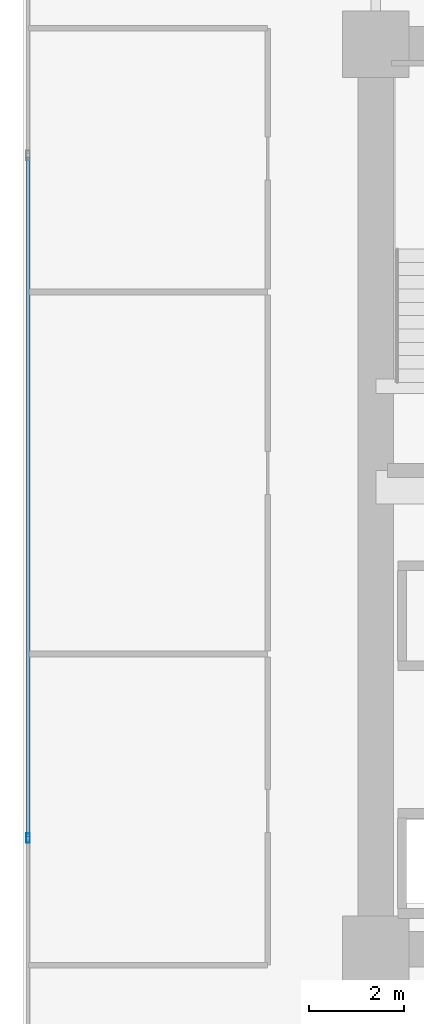
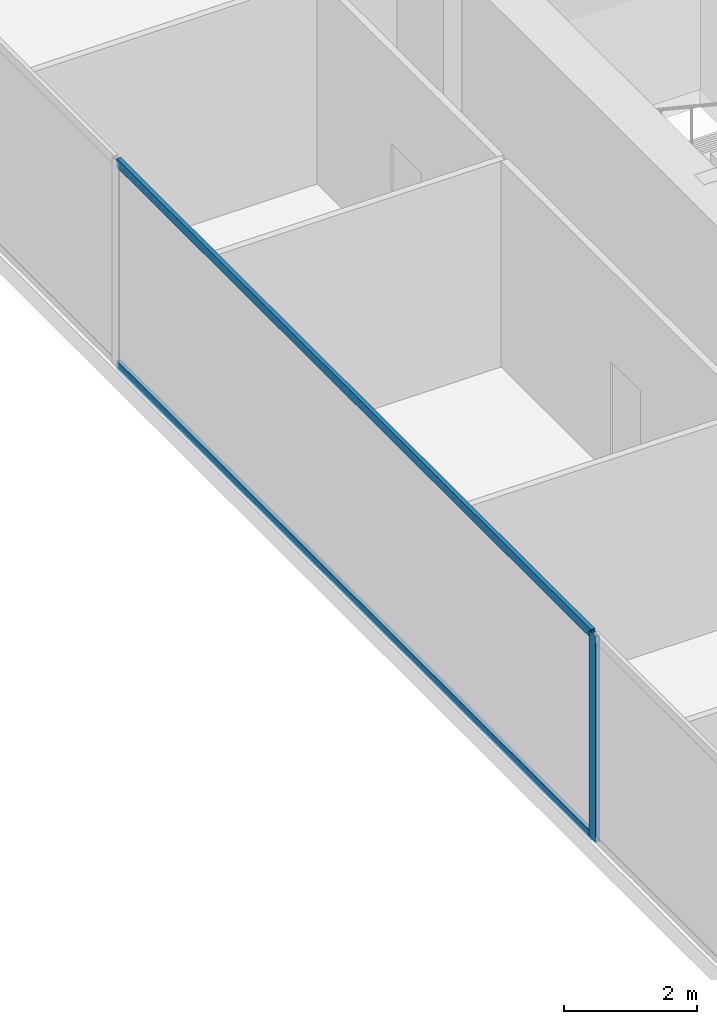
# One storey, part 6 of 31: 3 members, 1 element without a shape of its own.
"""IFC4 building model written with IfcOpenShell, lengths in metres."""

from ifc_helpers import new_model, si_unit, direction, frame, origin, origin_2d, place, context, subcontext, project, spatial, hollow_rectangle, extrude, source, transform, mapped, material, layer, layer_set, material_profile, profile_set, type_object, type_shapes, element, aggregate, save


model = new_model("IFC4")

# Units and contexts
model_context = context("Model", 3, precision=1e-05, world=origin(), true_north=direction((0.0, 1.0)))
body_context = subcontext(model_context, "Body", "Model", "MODEL_VIEW")
ifc_project = project(units=[si_unit("LENGTHUNIT", "METRE"), si_unit("AREAUNIT", "SQUARE_METRE"), si_unit("VOLUMEUNIT", "CUBIC_METRE"), si_unit("PLANEANGLEUNIT", "RADIAN"), si_unit("MASSUNIT", "GRAM", prefix="KILO")], contexts=[model_context])

# Site, building, storey
site_placement = place(None, origin())
site = spatial("IfcSite", under=ifc_project, at=site_placement, CompositionType="ELEMENT")
building_placement = place(site_placement, origin())
building = spatial("IfcBuilding", under=site, at=building_placement, Name="Haelvirn Gate Laboratories", CompositionType="ELEMENT")
storey_placement = place(building_placement, frame((0.0, 0.0, 62.10009765625)))
storey = spatial("IfcBuildingStorey", under=building, at=storey_placement, Name="L15", CompositionType="ELEMENT", Elevation=62.10009765625)

# Curtain wall, members
ifc_material_1 = material(Name="Anodised bronze unitised aluminium & triple low-E glass", Category="aluminium")
ifc_layer = layer(ifc_material_1, 0.18408203125, Name="CW-SYS-2")
ifc_layer_set = layer_set([ifc_layer], Name="Anodised bronze unitised aluminium & triple low-E glass")
curtain_wall_type = type_object("IfcCurtainWallType", Name="CW-SYS-2", PredefinedType="NOTDEFINED", material=ifc_layer_set)
curtain_wall_placement = place(storey_placement, origin())
curtain_wall = element("IfcCurtainWall", 1, at=curtain_wall_placement, inside=storey, type_object=curtain_wall_type, Name="L15 Unitised Curtain Wall CW-L15-P0-E17", PredefinedType="NOTDEFINED")
ifc_material_2 = material(Name="Extruded aluminium 6063-T6 (anodised bronze)", Category="aluminium")
ifc_material_profile_1 = material_profile(ifc_material_2, hollow_rectangle(XDim=0.070068359375, YDim=0.159912109375, WallThickness=0.0048828125, at=origin_2d()), Name="CWT-160x70x5")
ifc_profile_set_1 = profile_set([ifc_material_profile_1], Name="Extruded aluminium 6063-T6 (anodised bronze)")
member_type_1 = type_object("IfcMemberType", Name="CWT-T160", PredefinedType="USERDEFINED", material=ifc_profile_set_1)
shared_shape_1 = source(origin(), body_context, "Body", "SweptSolid", [
    extrude(hollow_rectangle(XDim=0.070068359375, YDim=0.159912109375, WallThickness=0.0048828125, at=origin_2d()), origin(), (0.0, 0.0, 1.0), 14.25830078125),
])
type_shapes(member_type_1, [shared_shape_1])
member_1_placement = place(storey_placement, frame((0.10009765625, 31.42919921875, 0.034912109375), z_axis=(0.0, -1.0, 0.0), x_axis=(1.0, 0.0, 0.0)))
member_1 = element("IfcMember", 2, at=member_1_placement, type_object=member_type_1, Name="CW2 transom 2.1", ObjectType="TRANSOM", PredefinedType="USERDEFINED", context=body_context, shape_type="MappedRepresentation", body=[
    mapped(shared_shape_1, transform((0.0, 0.0, 0.0), scale=1.0)),
])
member_2_placement = place(storey_placement, frame((0.10009765625, 31.42919921875, 3.744873046875), z_axis=(0.0, -1.0, 0.0), x_axis=(1.0, 0.0, 0.0)))
member_2 = element("IfcMember", 3, at=member_2_placement, type_object=member_type_1, Name="CW2 transom 2.2", ObjectType="TRANSOM", PredefinedType="USERDEFINED", context=body_context, shape_type="MappedRepresentation", body=[
    mapped(shared_shape_1, transform((0.0, 0.0, 0.0), scale=1.0)),
])
ifc_material_profile_2 = material_profile(ifc_material_2, hollow_rectangle(XDim=0.074951171875, YDim=0.199951171875, WallThickness=0.0048828125, at=origin_2d()), Name="CWM-200x75x5")
ifc_profile_set_2 = profile_set([ifc_material_profile_2], Name="Extruded aluminium 6063-T6 (anodised bronze)")
member_type_2 = type_object("IfcMemberType", Name="CWM-T200", PredefinedType="MULLION", material=ifc_profile_set_2)
shared_shape_2 = source(origin(), body_context, "Body", "SweptSolid", [
    extrude(hollow_rectangle(XDim=0.074951171875, YDim=0.199951171875, WallThickness=0.0048828125, at=origin_2d()), origin(), (0.0, 0.0, 1.0), 3.77978515625),
])
type_shapes(member_type_2, [shared_shape_2])
member_3_placement = place(storey_placement, frame((0.10009765625, 17.13330078125, 0.0), z_axis=(0.0, 0.0, 1.0), x_axis=(1.0, 0.0, 0.0)))
member_3 = element("IfcMember", 4, at=member_3_placement, type_object=member_type_2, Name="CW2 mullion 3", PredefinedType="MULLION", context=body_context, shape_type="MappedRepresentation", body=[
    mapped(shared_shape_2, transform((0.0, 0.0, 0.0), scale=1.0)),
])
aggregate(curtain_wall, [member_3, member_1, member_2])

save(model, "model.ifc")
